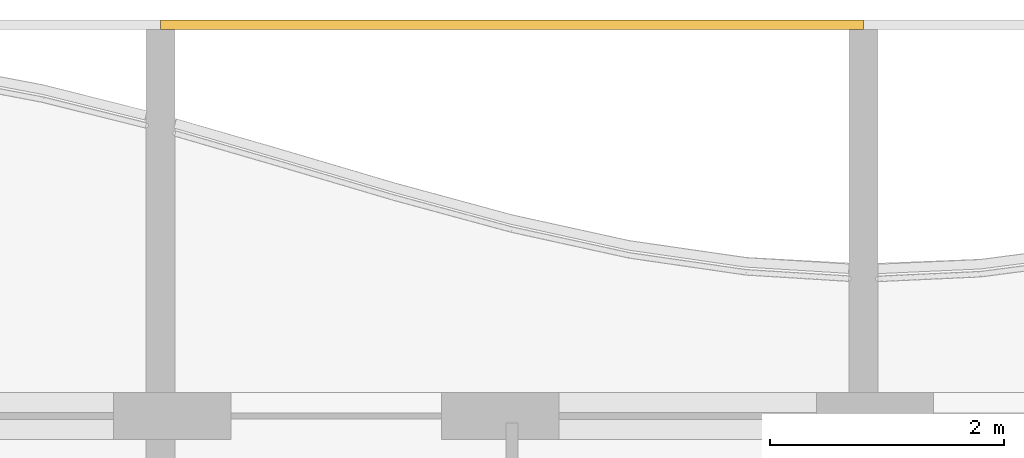
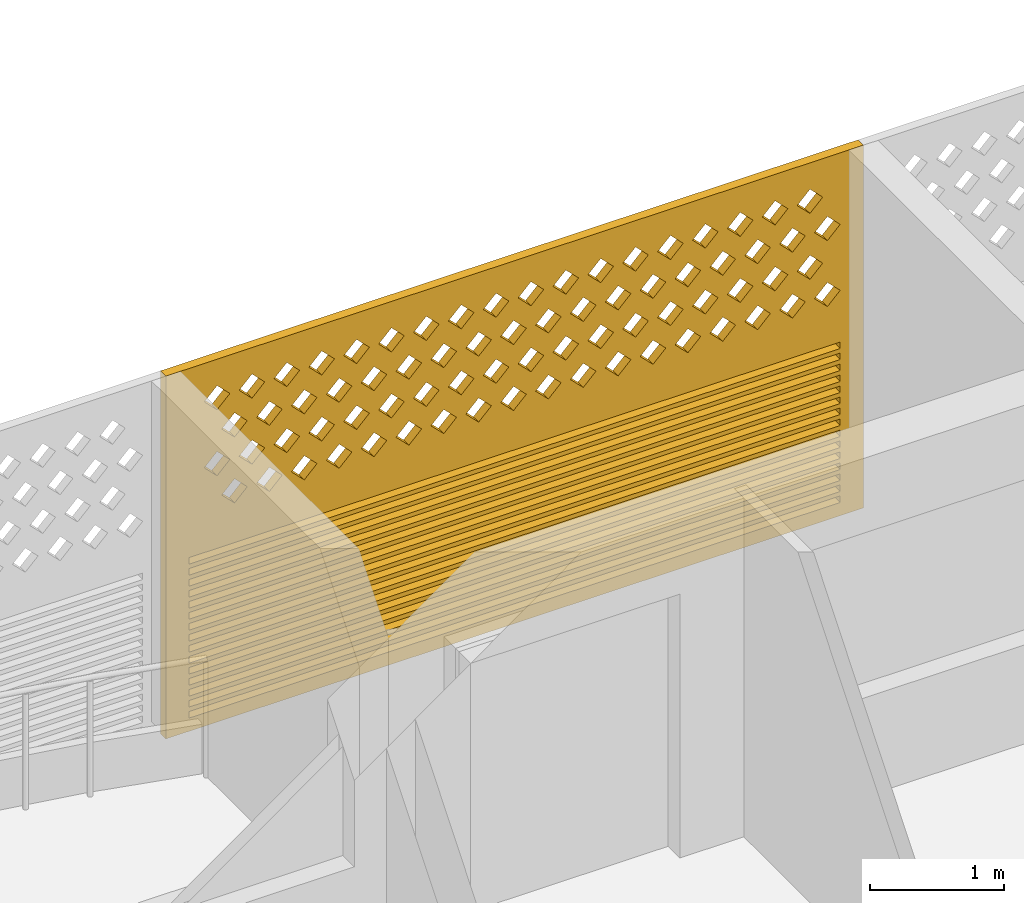
# One storey, part 24 of 28: 1 covering.
"""IFC4 building model written with IfcOpenShell, lengths in metres."""

from ifc_helpers import new_model, si_unit, direction, frame, origin, place, context, subcontext, project, spatial, polyline, outline, extrude, source, transform, mapped, material, material_profile, profile_set, type_object, element, save


model = new_model("IFC4")

# Units and contexts
model_context = context("Model", 3, precision=1e-05, world=origin(), true_north=direction((0.0, 1.0)))
body_context = subcontext(model_context, "Body", "Model", "MODEL_VIEW")
ifc_project = project(units=[si_unit("LENGTHUNIT", "METRE"), si_unit("AREAUNIT", "SQUARE_METRE"), si_unit("VOLUMEUNIT", "CUBIC_METRE"), si_unit("PLANEANGLEUNIT", "RADIAN"), si_unit("MASSUNIT", "GRAM", prefix="KILO")], contexts=[model_context])

# Site, building, storey
site_placement = place(None, origin())
site = spatial("IfcSite", under=ifc_project, at=site_placement, CompositionType="ELEMENT")
building_placement = place(site_placement, origin())
building = spatial("IfcBuilding", under=site, at=building_placement, Name="Poui Terraces", CompositionType="ELEMENT")
storey_placement = place(building_placement, frame((0.0, 0.0, 188.39990234375)))
storey = spatial("IfcBuildingStorey", under=building, at=storey_placement, Name="L52", CompositionType="ELEMENT", Elevation=188.39990234375)

# Covering
ifc_material = material(Name="Terracotta screen", Category="masonry")
ifc_material_profile = material_profile(ifc_material, outline(polyline([(-3.0, -1.64990234375), (3.0, -1.64990234375), (3.0, 1.64990234375), (-3.0, 1.64990234375), (-3.0, -1.64990234375)]), holes=[polyline([(-2.800048828125, 0.39990234375), (-2.68994140625, 0.2900390625), (-2.580078125, 0.39990234375), (-2.68994140625, 0.510009765625), (-2.800048828125, 0.39990234375)]), polyline([(-2.5, 0.39990234375), (-2.389892578125, 0.2900390625), (-2.280029296875, 0.39990234375), (-2.389892578125, 0.510009765625), (-2.5, 0.39990234375)]), polyline([(-2.199951171875, 0.39990234375), (-2.090087890625, 0.2900390625), (-1.97998046875, 0.39990234375), (-2.090087890625, 0.510009765625), (-2.199951171875, 0.39990234375)]), polyline([(-1.89990234375, 0.39990234375), (-1.7900390625, 0.2900390625), (-1.679931640625, 0.39990234375), (-1.7900390625, 0.510009765625), (-1.89990234375, 0.39990234375)]), polyline([(-1.60009765625, 0.39990234375), (-1.489990234375, 0.2900390625), (-1.3798828125, 0.39990234375), (-1.489990234375, 0.510009765625), (-1.60009765625, 0.39990234375)]), polyline([(-1.300048828125, 0.39990234375), (-1.18994140625, 0.2900390625), (-1.080078125, 0.39990234375), (-1.18994140625, 0.510009765625), (-1.300048828125, 0.39990234375)]), polyline([(-1.0, 0.39990234375), (-0.889892578125, 0.2900390625), (-0.780029296875, 0.39990234375), (-0.889892578125, 0.510009765625), (-1.0, 0.39990234375)]), polyline([(-0.699951171875, 0.39990234375), (-0.590087890625, 0.2900390625), (-0.47998046875, 0.39990234375), (-0.590087890625, 0.510009765625), (-0.699951171875, 0.39990234375)]), polyline([(-0.39990234375, 0.39990234375), (-0.2900390625, 0.2900390625), (-0.179931640625, 0.39990234375), (-0.2900390625, 0.510009765625), (-0.39990234375, 0.39990234375)]), polyline([(-0.10009765625, 0.39990234375), (0.010009765625, 0.2900390625), (0.1201171875, 0.39990234375), (0.010009765625, 0.510009765625), (-0.10009765625, 0.39990234375)]), polyline([(0.199951171875, 0.39990234375), (0.31005859375, 0.2900390625), (0.419921875, 0.39990234375), (0.31005859375, 0.510009765625), (0.199951171875, 0.39990234375)]), polyline([(0.5, 0.39990234375), (0.610107421875, 0.2900390625), (0.719970703125, 0.39990234375), (0.610107421875, 0.510009765625), (0.5, 0.39990234375)]), polyline([(0.800048828125, 0.39990234375), (0.909912109375, 0.2900390625), (1.02001953125, 0.39990234375), (0.909912109375, 0.510009765625), (0.800048828125, 0.39990234375)]), polyline([(1.10009765625, 0.39990234375), (1.2099609375, 0.2900390625), (1.320068359375, 0.39990234375), (1.2099609375, 0.510009765625), (1.10009765625, 0.39990234375)]), polyline([(1.39990234375, 0.39990234375), (1.510009765625, 0.2900390625), (1.6201171875, 0.39990234375), (1.510009765625, 0.510009765625), (1.39990234375, 0.39990234375)]), polyline([(1.699951171875, 0.39990234375), (1.81005859375, 0.2900390625), (1.919921875, 0.39990234375), (1.81005859375, 0.510009765625), (1.699951171875, 0.39990234375)]), polyline([(2.0, 0.39990234375), (2.110107421875, 0.2900390625), (2.219970703125, 0.39990234375), (2.110107421875, 0.510009765625), (2.0, 0.39990234375)]), polyline([(2.300048828125, 0.39990234375), (2.409912109375, 0.2900390625), (2.52001953125, 0.39990234375), (2.409912109375, 0.510009765625), (2.300048828125, 0.39990234375)]), polyline([(-2.64990234375, 0.699951171875), (-2.5400390625, 0.590087890625), (-2.429931640625, 0.699951171875), (-2.5400390625, 0.81005859375), (-2.64990234375, 0.699951171875)]), polyline([(-2.35009765625, 0.699951171875), (-2.239990234375, 0.590087890625), (-2.1298828125, 0.699951171875), (-2.239990234375, 0.81005859375), (-2.35009765625, 0.699951171875)]), polyline([(-2.050048828125, 0.699951171875), (-1.93994140625, 0.590087890625), (-1.830078125, 0.699951171875), (-1.93994140625, 0.81005859375), (-2.050048828125, 0.699951171875)]), polyline([(-1.75, 0.699951171875), (-1.639892578125, 0.590087890625), (-1.530029296875, 0.699951171875), (-1.639892578125, 0.81005859375), (-1.75, 0.699951171875)]), polyline([(-1.449951171875, 0.699951171875), (-1.340087890625, 0.590087890625), (-1.22998046875, 0.699951171875), (-1.340087890625, 0.81005859375), (-1.449951171875, 0.699951171875)]), polyline([(-1.14990234375, 0.699951171875), (-1.0400390625, 0.590087890625), (-0.929931640625, 0.699951171875), (-1.0400390625, 0.81005859375), (-1.14990234375, 0.699951171875)]), polyline([(-0.85009765625, 0.699951171875), (-0.739990234375, 0.590087890625), (-0.6298828125, 0.699951171875), (-0.739990234375, 0.81005859375), (-0.85009765625, 0.699951171875)]), polyline([(-0.550048828125, 0.699951171875), (-0.43994140625, 0.590087890625), (-0.330078125, 0.699951171875), (-0.43994140625, 0.81005859375), (-0.550048828125, 0.699951171875)]), polyline([(-0.25, 0.699951171875), (-0.139892578125, 0.590087890625), (-0.030029296875, 0.699951171875), (-0.139892578125, 0.81005859375), (-0.25, 0.699951171875)]), polyline([(0.050048828125, 0.699951171875), (0.159912109375, 0.590087890625), (0.27001953125, 0.699951171875), (0.159912109375, 0.81005859375), (0.050048828125, 0.699951171875)]), polyline([(0.35009765625, 0.699951171875), (0.4599609375, 0.590087890625), (0.570068359375, 0.699951171875), (0.4599609375, 0.81005859375), (0.35009765625, 0.699951171875)]), polyline([(0.64990234375, 0.699951171875), (0.760009765625, 0.590087890625), (0.8701171875, 0.699951171875), (0.760009765625, 0.81005859375), (0.64990234375, 0.699951171875)]), polyline([(0.949951171875, 0.699951171875), (1.06005859375, 0.590087890625), (1.169921875, 0.699951171875), (1.06005859375, 0.81005859375), (0.949951171875, 0.699951171875)]), polyline([(1.25, 0.699951171875), (1.360107421875, 0.590087890625), (1.469970703125, 0.699951171875), (1.360107421875, 0.81005859375), (1.25, 0.699951171875)]), polyline([(1.550048828125, 0.699951171875), (1.659912109375, 0.590087890625), (1.77001953125, 0.699951171875), (1.659912109375, 0.81005859375), (1.550048828125, 0.699951171875)]), polyline([(1.85009765625, 0.699951171875), (1.9599609375, 0.590087890625), (2.070068359375, 0.699951171875), (1.9599609375, 0.81005859375), (1.85009765625, 0.699951171875)]), polyline([(2.14990234375, 0.699951171875), (2.260009765625, 0.590087890625), (2.3701171875, 0.699951171875), (2.260009765625, 0.81005859375), (2.14990234375, 0.699951171875)]), polyline([(2.449951171875, 0.699951171875), (2.56005859375, 0.590087890625), (2.669921875, 0.699951171875), (2.56005859375, 0.81005859375), (2.449951171875, 0.699951171875)]), polyline([(-2.800048828125, 1.0), (-2.68994140625, 0.889892578125), (-2.580078125, 1.0), (-2.68994140625, 1.110107421875), (-2.800048828125, 1.0)]), polyline([(-2.5, 1.0), (-2.389892578125, 0.889892578125), (-2.280029296875, 1.0), (-2.389892578125, 1.110107421875), (-2.5, 1.0)]), polyline([(-2.199951171875, 1.0), (-2.090087890625, 0.889892578125), (-1.97998046875, 1.0), (-2.090087890625, 1.110107421875), (-2.199951171875, 1.0)]), polyline([(-1.89990234375, 1.0), (-1.7900390625, 0.889892578125), (-1.679931640625, 1.0), (-1.7900390625, 1.110107421875), (-1.89990234375, 1.0)]), polyline([(-1.60009765625, 1.0), (-1.489990234375, 0.889892578125), (-1.3798828125, 1.0), (-1.489990234375, 1.110107421875), (-1.60009765625, 1.0)]), polyline([(-1.300048828125, 1.0), (-1.18994140625, 0.889892578125), (-1.080078125, 1.0), (-1.18994140625, 1.110107421875), (-1.300048828125, 1.0)]), polyline([(-1.0, 1.0), (-0.889892578125, 0.889892578125), (-0.780029296875, 1.0), (-0.889892578125, 1.110107421875), (-1.0, 1.0)]), polyline([(-0.699951171875, 1.0), (-0.590087890625, 0.889892578125), (-0.47998046875, 1.0), (-0.590087890625, 1.110107421875), (-0.699951171875, 1.0)]), polyline([(-0.39990234375, 1.0), (-0.2900390625, 0.889892578125), (-0.179931640625, 1.0), (-0.2900390625, 1.110107421875), (-0.39990234375, 1.0)]), polyline([(-0.10009765625, 1.0), (0.010009765625, 0.889892578125), (0.1201171875, 1.0), (0.010009765625, 1.110107421875), (-0.10009765625, 1.0)]), polyline([(0.199951171875, 1.0), (0.31005859375, 0.889892578125), (0.419921875, 1.0), (0.31005859375, 1.110107421875), (0.199951171875, 1.0)]), polyline([(0.5, 1.0), (0.610107421875, 0.889892578125), (0.719970703125, 1.0), (0.610107421875, 1.110107421875), (0.5, 1.0)]), polyline([(0.800048828125, 1.0), (0.909912109375, 0.889892578125), (1.02001953125, 1.0), (0.909912109375, 1.110107421875), (0.800048828125, 1.0)]), polyline([(1.10009765625, 1.0), (1.2099609375, 0.889892578125), (1.320068359375, 1.0), (1.2099609375, 1.110107421875), (1.10009765625, 1.0)]), polyline([(1.39990234375, 1.0), (1.510009765625, 0.889892578125), (1.6201171875, 1.0), (1.510009765625, 1.110107421875), (1.39990234375, 1.0)]), polyline([(1.699951171875, 1.0), (1.81005859375, 0.889892578125), (1.919921875, 1.0), (1.81005859375, 1.110107421875), (1.699951171875, 1.0)]), polyline([(2.0, 1.0), (2.110107421875, 0.889892578125), (2.219970703125, 1.0), (2.110107421875, 1.110107421875), (2.0, 1.0)]), polyline([(2.300048828125, 1.0), (2.409912109375, 0.889892578125), (2.52001953125, 1.0), (2.409912109375, 1.110107421875), (2.300048828125, 1.0)]), polyline([(-2.64990234375, 1.300048828125), (-2.5400390625, 1.18994140625), (-2.429931640625, 1.300048828125), (-2.5400390625, 1.409912109375), (-2.64990234375, 1.300048828125)]), polyline([(-2.35009765625, 1.300048828125), (-2.239990234375, 1.18994140625), (-2.1298828125, 1.300048828125), (-2.239990234375, 1.409912109375), (-2.35009765625, 1.300048828125)]), polyline([(-2.050048828125, 1.300048828125), (-1.93994140625, 1.18994140625), (-1.830078125, 1.300048828125), (-1.93994140625, 1.409912109375), (-2.050048828125, 1.300048828125)]), polyline([(-1.75, 1.300048828125), (-1.639892578125, 1.18994140625), (-1.530029296875, 1.300048828125), (-1.639892578125, 1.409912109375), (-1.75, 1.300048828125)]), polyline([(-1.449951171875, 1.300048828125), (-1.340087890625, 1.18994140625), (-1.22998046875, 1.300048828125), (-1.340087890625, 1.409912109375), (-1.449951171875, 1.300048828125)]), polyline([(-1.14990234375, 1.300048828125), (-1.0400390625, 1.18994140625), (-0.929931640625, 1.300048828125), (-1.0400390625, 1.409912109375), (-1.14990234375, 1.300048828125)]), polyline([(-0.85009765625, 1.300048828125), (-0.739990234375, 1.18994140625), (-0.6298828125, 1.300048828125), (-0.739990234375, 1.409912109375), (-0.85009765625, 1.300048828125)]), polyline([(-0.550048828125, 1.300048828125), (-0.43994140625, 1.18994140625), (-0.330078125, 1.300048828125), (-0.43994140625, 1.409912109375), (-0.550048828125, 1.300048828125)]), polyline([(-0.25, 1.300048828125), (-0.139892578125, 1.18994140625), (-0.030029296875, 1.300048828125), (-0.139892578125, 1.409912109375), (-0.25, 1.300048828125)]), polyline([(0.050048828125, 1.300048828125), (0.159912109375, 1.18994140625), (0.27001953125, 1.300048828125), (0.159912109375, 1.409912109375), (0.050048828125, 1.300048828125)]), polyline([(0.35009765625, 1.300048828125), (0.4599609375, 1.18994140625), (0.570068359375, 1.300048828125), (0.4599609375, 1.409912109375), (0.35009765625, 1.300048828125)]), polyline([(0.64990234375, 1.300048828125), (0.760009765625, 1.18994140625), (0.8701171875, 1.300048828125), (0.760009765625, 1.409912109375), (0.64990234375, 1.300048828125)]), polyline([(0.949951171875, 1.300048828125), (1.06005859375, 1.18994140625), (1.169921875, 1.300048828125), (1.06005859375, 1.409912109375), (0.949951171875, 1.300048828125)]), polyline([(1.25, 1.300048828125), (1.360107421875, 1.18994140625), (1.469970703125, 1.300048828125), (1.360107421875, 1.409912109375), (1.25, 1.300048828125)]), polyline([(1.550048828125, 1.300048828125), (1.659912109375, 1.18994140625), (1.77001953125, 1.300048828125), (1.659912109375, 1.409912109375), (1.550048828125, 1.300048828125)]), polyline([(1.85009765625, 1.300048828125), (1.9599609375, 1.18994140625), (2.070068359375, 1.300048828125), (1.9599609375, 1.409912109375), (1.85009765625, 1.300048828125)]), polyline([(2.14990234375, 1.300048828125), (2.260009765625, 1.18994140625), (2.3701171875, 1.300048828125), (2.260009765625, 1.409912109375), (2.14990234375, 1.300048828125)]), polyline([(2.449951171875, 1.300048828125), (2.56005859375, 1.18994140625), (2.669921875, 1.300048828125), (2.56005859375, 1.409912109375), (2.449951171875, 1.300048828125)]), polyline([(-2.800048828125, -1.530029296875), (2.800048828125, -1.530029296875), (2.800048828125, -1.469970703125), (-2.800048828125, -1.469970703125), (-2.800048828125, -1.530029296875)]), polyline([(-2.800048828125, -1.429931640625), (2.800048828125, -1.429931640625), (2.800048828125, -1.3701171875), (-2.800048828125, -1.3701171875), (-2.800048828125, -1.429931640625)]), polyline([(-2.800048828125, -1.330078125), (2.800048828125, -1.330078125), (2.800048828125, -1.27001953125), (-2.800048828125, -1.27001953125), (-2.800048828125, -1.330078125)]), polyline([(-2.800048828125, -1.22998046875), (2.800048828125, -1.22998046875), (2.800048828125, -1.169921875), (-2.800048828125, -1.169921875), (-2.800048828125, -1.22998046875)]), polyline([(-2.800048828125, -1.1298828125), (2.800048828125, -1.1298828125), (2.800048828125, -1.070068359375), (-2.800048828125, -1.070068359375), (-2.800048828125, -1.1298828125)]), polyline([(-2.800048828125, -1.030029296875), (2.800048828125, -1.030029296875), (2.800048828125, -0.969970703125), (-2.800048828125, -0.969970703125), (-2.800048828125, -1.030029296875)]), polyline([(-2.800048828125, -0.929931640625), (2.800048828125, -0.929931640625), (2.800048828125, -0.8701171875), (-2.800048828125, -0.8701171875), (-2.800048828125, -0.929931640625)]), polyline([(-2.800048828125, -0.830078125), (2.800048828125, -0.830078125), (2.800048828125, -0.77001953125), (-2.800048828125, -0.77001953125), (-2.800048828125, -0.830078125)]), polyline([(-2.800048828125, -0.72998046875), (2.800048828125, -0.72998046875), (2.800048828125, -0.669921875), (-2.800048828125, -0.669921875), (-2.800048828125, -0.72998046875)]), polyline([(-2.800048828125, -0.6298828125), (2.800048828125, -0.6298828125), (2.800048828125, -0.570068359375), (-2.800048828125, -0.570068359375), (-2.800048828125, -0.6298828125)]), polyline([(-2.800048828125, -0.530029296875), (2.800048828125, -0.530029296875), (2.800048828125, -0.469970703125), (-2.800048828125, -0.469970703125), (-2.800048828125, -0.530029296875)]), polyline([(-2.800048828125, -0.429931640625), (2.800048828125, -0.429931640625), (2.800048828125, -0.3701171875), (-2.800048828125, -0.3701171875), (-2.800048828125, -0.429931640625)]), polyline([(-2.800048828125, -0.330078125), (2.800048828125, -0.330078125), (2.800048828125, -0.27001953125), (-2.800048828125, -0.27001953125), (-2.800048828125, -0.330078125)]), polyline([(-2.800048828125, -0.22998046875), (2.800048828125, -0.22998046875), (2.800048828125, -0.169921875), (-2.800048828125, -0.169921875), (-2.800048828125, -0.22998046875)]), polyline([(-2.800048828125, -0.1298828125), (2.800048828125, -0.1298828125), (2.800048828125, -0.070068359375), (-2.800048828125, -0.070068359375), (-2.800048828125, -0.1298828125)])]), Name="TERRACOTTA SCREEN AND JALOUSIE LOUVRE 6000X3300")
ifc_profile_set = profile_set([ifc_material_profile], Name="Terracotta screen")
covering_type = type_object("IfcCoveringType", Name="TERRACOTTA SCREEN AND JALOUSIE LOUVRE 6000X3300", PredefinedType="CLADDING", material=ifc_profile_set)
shared_shape = source(origin(), body_context, "Body", "SweptSolid", [
    extrude(outline(polyline([(-3.0, -1.64990234375), (3.0, -1.64990234375), (3.0, 1.64990234375), (-3.0, 1.64990234375), (-3.0, -1.64990234375)]), holes=[polyline([(-2.800048828125, 0.39990234375), (-2.68994140625, 0.2900390625), (-2.580078125, 0.39990234375), (-2.68994140625, 0.510009765625), (-2.800048828125, 0.39990234375)]), polyline([(-2.5, 0.39990234375), (-2.389892578125, 0.2900390625), (-2.280029296875, 0.39990234375), (-2.389892578125, 0.510009765625), (-2.5, 0.39990234375)]), polyline([(-2.199951171875, 0.39990234375), (-2.090087890625, 0.2900390625), (-1.97998046875, 0.39990234375), (-2.090087890625, 0.510009765625), (-2.199951171875, 0.39990234375)]), polyline([(-1.89990234375, 0.39990234375), (-1.7900390625, 0.2900390625), (-1.679931640625, 0.39990234375), (-1.7900390625, 0.510009765625), (-1.89990234375, 0.39990234375)]), polyline([(-1.60009765625, 0.39990234375), (-1.489990234375, 0.2900390625), (-1.3798828125, 0.39990234375), (-1.489990234375, 0.510009765625), (-1.60009765625, 0.39990234375)]), polyline([(-1.300048828125, 0.39990234375), (-1.18994140625, 0.2900390625), (-1.080078125, 0.39990234375), (-1.18994140625, 0.510009765625), (-1.300048828125, 0.39990234375)]), polyline([(-1.0, 0.39990234375), (-0.889892578125, 0.2900390625), (-0.780029296875, 0.39990234375), (-0.889892578125, 0.510009765625), (-1.0, 0.39990234375)]), polyline([(-0.699951171875, 0.39990234375), (-0.590087890625, 0.2900390625), (-0.47998046875, 0.39990234375), (-0.590087890625, 0.510009765625), (-0.699951171875, 0.39990234375)]), polyline([(-0.39990234375, 0.39990234375), (-0.2900390625, 0.2900390625), (-0.179931640625, 0.39990234375), (-0.2900390625, 0.510009765625), (-0.39990234375, 0.39990234375)]), polyline([(-0.10009765625, 0.39990234375), (0.010009765625, 0.2900390625), (0.1201171875, 0.39990234375), (0.010009765625, 0.510009765625), (-0.10009765625, 0.39990234375)]), polyline([(0.199951171875, 0.39990234375), (0.31005859375, 0.2900390625), (0.419921875, 0.39990234375), (0.31005859375, 0.510009765625), (0.199951171875, 0.39990234375)]), polyline([(0.5, 0.39990234375), (0.610107421875, 0.2900390625), (0.719970703125, 0.39990234375), (0.610107421875, 0.510009765625), (0.5, 0.39990234375)]), polyline([(0.800048828125, 0.39990234375), (0.909912109375, 0.2900390625), (1.02001953125, 0.39990234375), (0.909912109375, 0.510009765625), (0.800048828125, 0.39990234375)]), polyline([(1.10009765625, 0.39990234375), (1.2099609375, 0.2900390625), (1.320068359375, 0.39990234375), (1.2099609375, 0.510009765625), (1.10009765625, 0.39990234375)]), polyline([(1.39990234375, 0.39990234375), (1.510009765625, 0.2900390625), (1.6201171875, 0.39990234375), (1.510009765625, 0.510009765625), (1.39990234375, 0.39990234375)]), polyline([(1.699951171875, 0.39990234375), (1.81005859375, 0.2900390625), (1.919921875, 0.39990234375), (1.81005859375, 0.510009765625), (1.699951171875, 0.39990234375)]), polyline([(2.0, 0.39990234375), (2.110107421875, 0.2900390625), (2.219970703125, 0.39990234375), (2.110107421875, 0.510009765625), (2.0, 0.39990234375)]), polyline([(2.300048828125, 0.39990234375), (2.409912109375, 0.2900390625), (2.52001953125, 0.39990234375), (2.409912109375, 0.510009765625), (2.300048828125, 0.39990234375)]), polyline([(-2.64990234375, 0.699951171875), (-2.5400390625, 0.590087890625), (-2.429931640625, 0.699951171875), (-2.5400390625, 0.81005859375), (-2.64990234375, 0.699951171875)]), polyline([(-2.35009765625, 0.699951171875), (-2.239990234375, 0.590087890625), (-2.1298828125, 0.699951171875), (-2.239990234375, 0.81005859375), (-2.35009765625, 0.699951171875)]), polyline([(-2.050048828125, 0.699951171875), (-1.93994140625, 0.590087890625), (-1.830078125, 0.699951171875), (-1.93994140625, 0.81005859375), (-2.050048828125, 0.699951171875)]), polyline([(-1.75, 0.699951171875), (-1.639892578125, 0.590087890625), (-1.530029296875, 0.699951171875), (-1.639892578125, 0.81005859375), (-1.75, 0.699951171875)]), polyline([(-1.449951171875, 0.699951171875), (-1.340087890625, 0.590087890625), (-1.22998046875, 0.699951171875), (-1.340087890625, 0.81005859375), (-1.449951171875, 0.699951171875)]), polyline([(-1.14990234375, 0.699951171875), (-1.0400390625, 0.590087890625), (-0.929931640625, 0.699951171875), (-1.0400390625, 0.81005859375), (-1.14990234375, 0.699951171875)]), polyline([(-0.85009765625, 0.699951171875), (-0.739990234375, 0.590087890625), (-0.6298828125, 0.699951171875), (-0.739990234375, 0.81005859375), (-0.85009765625, 0.699951171875)]), polyline([(-0.550048828125, 0.699951171875), (-0.43994140625, 0.590087890625), (-0.330078125, 0.699951171875), (-0.43994140625, 0.81005859375), (-0.550048828125, 0.699951171875)]), polyline([(-0.25, 0.699951171875), (-0.139892578125, 0.590087890625), (-0.030029296875, 0.699951171875), (-0.139892578125, 0.81005859375), (-0.25, 0.699951171875)]), polyline([(0.050048828125, 0.699951171875), (0.159912109375, 0.590087890625), (0.27001953125, 0.699951171875), (0.159912109375, 0.81005859375), (0.050048828125, 0.699951171875)]), polyline([(0.35009765625, 0.699951171875), (0.4599609375, 0.590087890625), (0.570068359375, 0.699951171875), (0.4599609375, 0.81005859375), (0.35009765625, 0.699951171875)]), polyline([(0.64990234375, 0.699951171875), (0.760009765625, 0.590087890625), (0.8701171875, 0.699951171875), (0.760009765625, 0.81005859375), (0.64990234375, 0.699951171875)]), polyline([(0.949951171875, 0.699951171875), (1.06005859375, 0.590087890625), (1.169921875, 0.699951171875), (1.06005859375, 0.81005859375), (0.949951171875, 0.699951171875)]), polyline([(1.25, 0.699951171875), (1.360107421875, 0.590087890625), (1.469970703125, 0.699951171875), (1.360107421875, 0.81005859375), (1.25, 0.699951171875)]), polyline([(1.550048828125, 0.699951171875), (1.659912109375, 0.590087890625), (1.77001953125, 0.699951171875), (1.659912109375, 0.81005859375), (1.550048828125, 0.699951171875)]), polyline([(1.85009765625, 0.699951171875), (1.9599609375, 0.590087890625), (2.070068359375, 0.699951171875), (1.9599609375, 0.81005859375), (1.85009765625, 0.699951171875)]), polyline([(2.14990234375, 0.699951171875), (2.260009765625, 0.590087890625), (2.3701171875, 0.699951171875), (2.260009765625, 0.81005859375), (2.14990234375, 0.699951171875)]), polyline([(2.449951171875, 0.699951171875), (2.56005859375, 0.590087890625), (2.669921875, 0.699951171875), (2.56005859375, 0.81005859375), (2.449951171875, 0.699951171875)]), polyline([(-2.800048828125, 1.0), (-2.68994140625, 0.889892578125), (-2.580078125, 1.0), (-2.68994140625, 1.110107421875), (-2.800048828125, 1.0)]), polyline([(-2.5, 1.0), (-2.389892578125, 0.889892578125), (-2.280029296875, 1.0), (-2.389892578125, 1.110107421875), (-2.5, 1.0)]), polyline([(-2.199951171875, 1.0), (-2.090087890625, 0.889892578125), (-1.97998046875, 1.0), (-2.090087890625, 1.110107421875), (-2.199951171875, 1.0)]), polyline([(-1.89990234375, 1.0), (-1.7900390625, 0.889892578125), (-1.679931640625, 1.0), (-1.7900390625, 1.110107421875), (-1.89990234375, 1.0)]), polyline([(-1.60009765625, 1.0), (-1.489990234375, 0.889892578125), (-1.3798828125, 1.0), (-1.489990234375, 1.110107421875), (-1.60009765625, 1.0)]), polyline([(-1.300048828125, 1.0), (-1.18994140625, 0.889892578125), (-1.080078125, 1.0), (-1.18994140625, 1.110107421875), (-1.300048828125, 1.0)]), polyline([(-1.0, 1.0), (-0.889892578125, 0.889892578125), (-0.780029296875, 1.0), (-0.889892578125, 1.110107421875), (-1.0, 1.0)]), polyline([(-0.699951171875, 1.0), (-0.590087890625, 0.889892578125), (-0.47998046875, 1.0), (-0.590087890625, 1.110107421875), (-0.699951171875, 1.0)]), polyline([(-0.39990234375, 1.0), (-0.2900390625, 0.889892578125), (-0.179931640625, 1.0), (-0.2900390625, 1.110107421875), (-0.39990234375, 1.0)]), polyline([(-0.10009765625, 1.0), (0.010009765625, 0.889892578125), (0.1201171875, 1.0), (0.010009765625, 1.110107421875), (-0.10009765625, 1.0)]), polyline([(0.199951171875, 1.0), (0.31005859375, 0.889892578125), (0.419921875, 1.0), (0.31005859375, 1.110107421875), (0.199951171875, 1.0)]), polyline([(0.5, 1.0), (0.610107421875, 0.889892578125), (0.719970703125, 1.0), (0.610107421875, 1.110107421875), (0.5, 1.0)]), polyline([(0.800048828125, 1.0), (0.909912109375, 0.889892578125), (1.02001953125, 1.0), (0.909912109375, 1.110107421875), (0.800048828125, 1.0)]), polyline([(1.10009765625, 1.0), (1.2099609375, 0.889892578125), (1.320068359375, 1.0), (1.2099609375, 1.110107421875), (1.10009765625, 1.0)]), polyline([(1.39990234375, 1.0), (1.510009765625, 0.889892578125), (1.6201171875, 1.0), (1.510009765625, 1.110107421875), (1.39990234375, 1.0)]), polyline([(1.699951171875, 1.0), (1.81005859375, 0.889892578125), (1.919921875, 1.0), (1.81005859375, 1.110107421875), (1.699951171875, 1.0)]), polyline([(2.0, 1.0), (2.110107421875, 0.889892578125), (2.219970703125, 1.0), (2.110107421875, 1.110107421875), (2.0, 1.0)]), polyline([(2.300048828125, 1.0), (2.409912109375, 0.889892578125), (2.52001953125, 1.0), (2.409912109375, 1.110107421875), (2.300048828125, 1.0)]), polyline([(-2.64990234375, 1.300048828125), (-2.5400390625, 1.18994140625), (-2.429931640625, 1.300048828125), (-2.5400390625, 1.409912109375), (-2.64990234375, 1.300048828125)]), polyline([(-2.35009765625, 1.300048828125), (-2.239990234375, 1.18994140625), (-2.1298828125, 1.300048828125), (-2.239990234375, 1.409912109375), (-2.35009765625, 1.300048828125)]), polyline([(-2.050048828125, 1.300048828125), (-1.93994140625, 1.18994140625), (-1.830078125, 1.300048828125), (-1.93994140625, 1.409912109375), (-2.050048828125, 1.300048828125)]), polyline([(-1.75, 1.300048828125), (-1.639892578125, 1.18994140625), (-1.530029296875, 1.300048828125), (-1.639892578125, 1.409912109375), (-1.75, 1.300048828125)]), polyline([(-1.449951171875, 1.300048828125), (-1.340087890625, 1.18994140625), (-1.22998046875, 1.300048828125), (-1.340087890625, 1.409912109375), (-1.449951171875, 1.300048828125)]), polyline([(-1.14990234375, 1.300048828125), (-1.0400390625, 1.18994140625), (-0.929931640625, 1.300048828125), (-1.0400390625, 1.409912109375), (-1.14990234375, 1.300048828125)]), polyline([(-0.85009765625, 1.300048828125), (-0.739990234375, 1.18994140625), (-0.6298828125, 1.300048828125), (-0.739990234375, 1.409912109375), (-0.85009765625, 1.300048828125)]), polyline([(-0.550048828125, 1.300048828125), (-0.43994140625, 1.18994140625), (-0.330078125, 1.300048828125), (-0.43994140625, 1.409912109375), (-0.550048828125, 1.300048828125)]), polyline([(-0.25, 1.300048828125), (-0.139892578125, 1.18994140625), (-0.030029296875, 1.300048828125), (-0.139892578125, 1.409912109375), (-0.25, 1.300048828125)]), polyline([(0.050048828125, 1.300048828125), (0.159912109375, 1.18994140625), (0.27001953125, 1.300048828125), (0.159912109375, 1.409912109375), (0.050048828125, 1.300048828125)]), polyline([(0.35009765625, 1.300048828125), (0.4599609375, 1.18994140625), (0.570068359375, 1.300048828125), (0.4599609375, 1.409912109375), (0.35009765625, 1.300048828125)]), polyline([(0.64990234375, 1.300048828125), (0.760009765625, 1.18994140625), (0.8701171875, 1.300048828125), (0.760009765625, 1.409912109375), (0.64990234375, 1.300048828125)]), polyline([(0.949951171875, 1.300048828125), (1.06005859375, 1.18994140625), (1.169921875, 1.300048828125), (1.06005859375, 1.409912109375), (0.949951171875, 1.300048828125)]), polyline([(1.25, 1.300048828125), (1.360107421875, 1.18994140625), (1.469970703125, 1.300048828125), (1.360107421875, 1.409912109375), (1.25, 1.300048828125)]), polyline([(1.550048828125, 1.300048828125), (1.659912109375, 1.18994140625), (1.77001953125, 1.300048828125), (1.659912109375, 1.409912109375), (1.550048828125, 1.300048828125)]), polyline([(1.85009765625, 1.300048828125), (1.9599609375, 1.18994140625), (2.070068359375, 1.300048828125), (1.9599609375, 1.409912109375), (1.85009765625, 1.300048828125)]), polyline([(2.14990234375, 1.300048828125), (2.260009765625, 1.18994140625), (2.3701171875, 1.300048828125), (2.260009765625, 1.409912109375), (2.14990234375, 1.300048828125)]), polyline([(2.449951171875, 1.300048828125), (2.56005859375, 1.18994140625), (2.669921875, 1.300048828125), (2.56005859375, 1.409912109375), (2.449951171875, 1.300048828125)]), polyline([(-2.800048828125, -1.530029296875), (2.800048828125, -1.530029296875), (2.800048828125, -1.469970703125), (-2.800048828125, -1.469970703125), (-2.800048828125, -1.530029296875)]), polyline([(-2.800048828125, -1.429931640625), (2.800048828125, -1.429931640625), (2.800048828125, -1.3701171875), (-2.800048828125, -1.3701171875), (-2.800048828125, -1.429931640625)]), polyline([(-2.800048828125, -1.330078125), (2.800048828125, -1.330078125), (2.800048828125, -1.27001953125), (-2.800048828125, -1.27001953125), (-2.800048828125, -1.330078125)]), polyline([(-2.800048828125, -1.22998046875), (2.800048828125, -1.22998046875), (2.800048828125, -1.169921875), (-2.800048828125, -1.169921875), (-2.800048828125, -1.22998046875)]), polyline([(-2.800048828125, -1.1298828125), (2.800048828125, -1.1298828125), (2.800048828125, -1.070068359375), (-2.800048828125, -1.070068359375), (-2.800048828125, -1.1298828125)]), polyline([(-2.800048828125, -1.030029296875), (2.800048828125, -1.030029296875), (2.800048828125, -0.969970703125), (-2.800048828125, -0.969970703125), (-2.800048828125, -1.030029296875)]), polyline([(-2.800048828125, -0.929931640625), (2.800048828125, -0.929931640625), (2.800048828125, -0.8701171875), (-2.800048828125, -0.8701171875), (-2.800048828125, -0.929931640625)]), polyline([(-2.800048828125, -0.830078125), (2.800048828125, -0.830078125), (2.800048828125, -0.77001953125), (-2.800048828125, -0.77001953125), (-2.800048828125, -0.830078125)]), polyline([(-2.800048828125, -0.72998046875), (2.800048828125, -0.72998046875), (2.800048828125, -0.669921875), (-2.800048828125, -0.669921875), (-2.800048828125, -0.72998046875)]), polyline([(-2.800048828125, -0.6298828125), (2.800048828125, -0.6298828125), (2.800048828125, -0.570068359375), (-2.800048828125, -0.570068359375), (-2.800048828125, -0.6298828125)]), polyline([(-2.800048828125, -0.530029296875), (2.800048828125, -0.530029296875), (2.800048828125, -0.469970703125), (-2.800048828125, -0.469970703125), (-2.800048828125, -0.530029296875)]), polyline([(-2.800048828125, -0.429931640625), (2.800048828125, -0.429931640625), (2.800048828125, -0.3701171875), (-2.800048828125, -0.3701171875), (-2.800048828125, -0.429931640625)]), polyline([(-2.800048828125, -0.330078125), (2.800048828125, -0.330078125), (2.800048828125, -0.27001953125), (-2.800048828125, -0.27001953125), (-2.800048828125, -0.330078125)]), polyline([(-2.800048828125, -0.22998046875), (2.800048828125, -0.22998046875), (2.800048828125, -0.169921875), (-2.800048828125, -0.169921875), (-2.800048828125, -0.22998046875)]), polyline([(-2.800048828125, -0.1298828125), (2.800048828125, -0.1298828125), (2.800048828125, -0.070068359375), (-2.800048828125, -0.070068359375), (-2.800048828125, -0.1298828125)])]), origin(), (0.0, 0.0, 1.0), 0.080078125),
])
covering_placement = place(storey_placement, frame((63.0, 44.5, 1.4501953125), z_axis=(0.0, 1.0, 0.0), x_axis=(-1.0, 0.0, 0.0)))
element("IfcCovering", 1, at=covering_placement, inside=storey, type_object=covering_type, Name="SOLAR SCREEN AND JALOUSIE LOUVRE", PredefinedType="CLADDING", context=body_context, shape_type="MappedRepresentation", body=[
    mapped(shared_shape, transform((0.0, 0.0, 0.0))),
])

save(model, "model.ifc")
